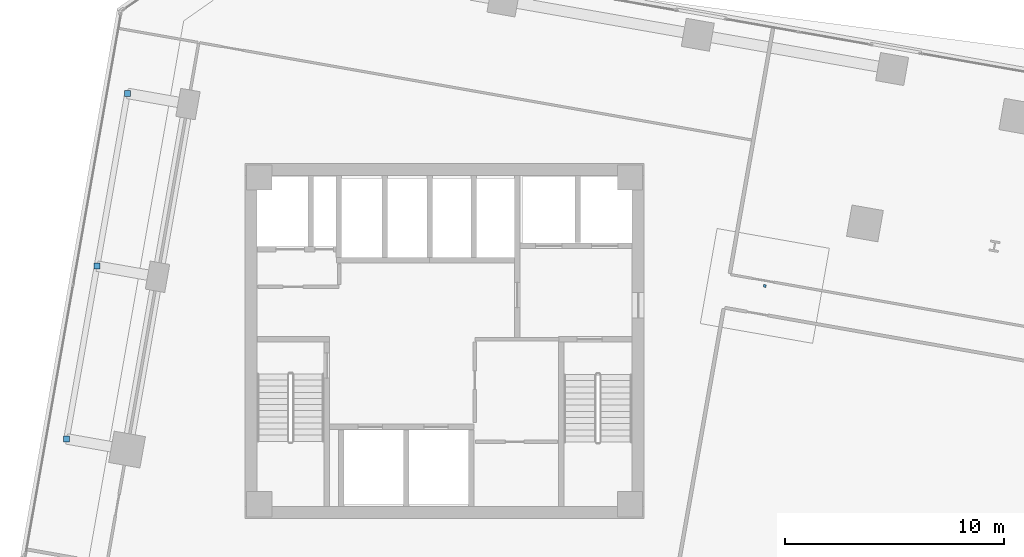
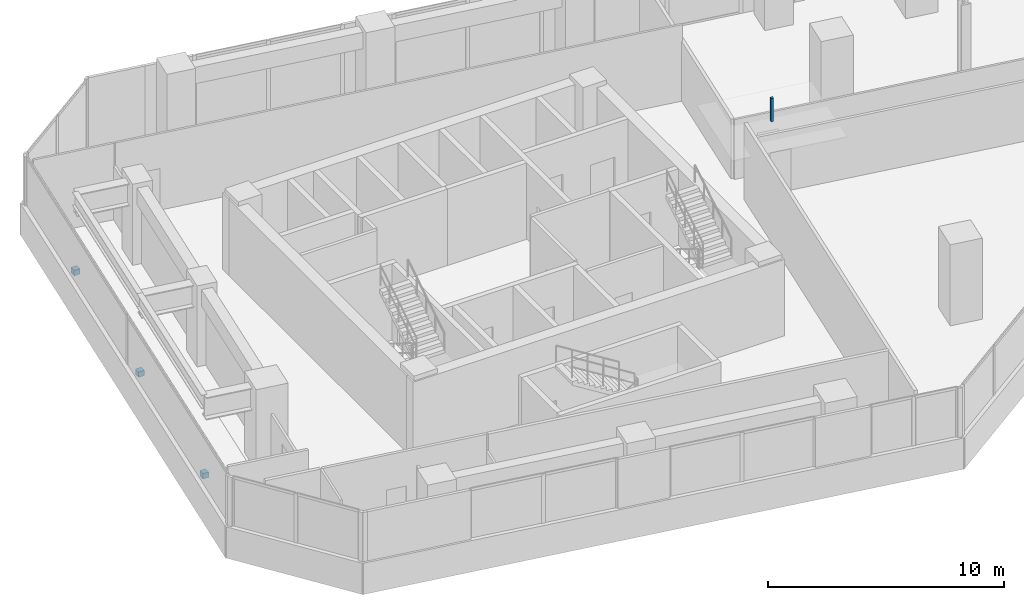
# One storey, part 21 of 24: 4 discrete accessories.
"""IFC4 building model written with IfcOpenShell, lengths in metres."""

from ifc_helpers import new_model, si_unit, direction, frame, origin, origin_2d, place, context, subcontext, project, spatial, rectangle, extrude, source, transform, mapped, material, type_object, element, save


model = new_model("IFC4")

# Units and contexts
model_context = context("Model", 3, precision=1e-05, world=origin(), true_north=direction((0.0, 1.0)))
body_context = subcontext(model_context, "Body", "Model", "MODEL_VIEW")
ifc_project = project(units=[si_unit("LENGTHUNIT", "METRE"), si_unit("AREAUNIT", "SQUARE_METRE"), si_unit("VOLUMEUNIT", "CUBIC_METRE"), si_unit("PLANEANGLEUNIT", "RADIAN"), si_unit("MASSUNIT", "GRAM", prefix="KILO")], contexts=[model_context])

# Site, building, storey
site_placement = place(None, origin())
site = spatial("IfcSite", under=ifc_project, at=site_placement, CompositionType="ELEMENT")
building_placement = place(site_placement, origin())
building = spatial("IfcBuilding", under=site, at=building_placement, Name="Torre Montelarca", CompositionType="ELEMENT")
storey_placement = place(building_placement, frame((0.0, 0.0, 74.800048828125)))
storey = spatial("IfcBuildingStorey", under=building, at=storey_placement, Name="L16", CompositionType="ELEMENT", Elevation=74.800048828125)

# Discrete accessories
ifc_material_1 = material(Name="Stainless steel AISI 316", Category="steel")
discrete_accessory_type_1 = type_object("IfcDiscreteAccessoryType", Name="ACC-BRACKET-SS", PredefinedType="BRACKET", material=ifc_material_1)
shared_shape_1 = source(origin(), body_context, "Body", "SweptSolid", [
    extrude(rectangle(XDim=0.280029296875, YDim=0.280029296875, at=origin_2d()), origin(), (0.0, 0.0, 1.0), 0.280029296875),
])
for number, where, z_axis, x_axis, name in (
    (1, (0.75927734375, 27.53369140625, -0.2802734375), (0.0, 0.0, 1.0), (1.0, 0.0, 0.0), "L16 Raker End Connection Bracket W1-HD"),
    (2, (2.1484375, 35.412109375, -0.2802734375), (0.0, 0.0, 1.0), (1.0, 0.0, 0.0), "L16 Raker End Connection Bracket W2-HD"),
    (3, (3.53759765625, 43.29052734375, -0.2802734375), (0.0, 0.0, 1.0), (1.0, 0.0, 0.0), "L16 Raker End Connection Bracket W3-HD"),
):
    element("IfcDiscreteAccessory", number, at=place(storey_placement, frame(where, z_axis=z_axis, x_axis=x_axis)), inside=storey, type_object=discrete_accessory_type_1, Name=name, PredefinedType="BRACKET", context=body_context, shape_type="MappedRepresentation", body=[
        mapped(shared_shape_1, transform((0.0, 0.0, 0.0), scale=1.0)),
    ])
ifc_material_2 = material(Name="Galvanized steel suspension hanger", Category="steel")
discrete_accessory_type_2 = type_object("IfcDiscreteAccessoryType", Name="ACC-CEIL-HNG", PredefinedType="BRACKET", material=ifc_material_2)
shared_shape_2 = source(origin(), body_context, "Body", "SweptSolid", [
    extrude(rectangle(XDim=0.1201171875, YDim=0.1201171875, at=origin_2d()), origin(), (0.0, 0.0, 1.0), 1.219970703125),
])
discrete_accessory_placement = place(storey_placement, frame((32.6044921875, 34.509765625, 2.759765625), z_axis=(0.0, 0.0, 1.0), x_axis=(-0.984807753012, 0.173648177667, 0.0)))
element("IfcDiscreteAccessory", 4, at=discrete_accessory_placement, inside=storey, type_object=discrete_accessory_type_2, Name="L16 Suspended Ceiling Hanger Bracket 01", PredefinedType="BRACKET", context=body_context, shape_type="MappedRepresentation", body=[
    mapped(shared_shape_2, transform((0.0, 0.0, 0.0), scale=1.0)),
])

save(model, "model.ifc")
